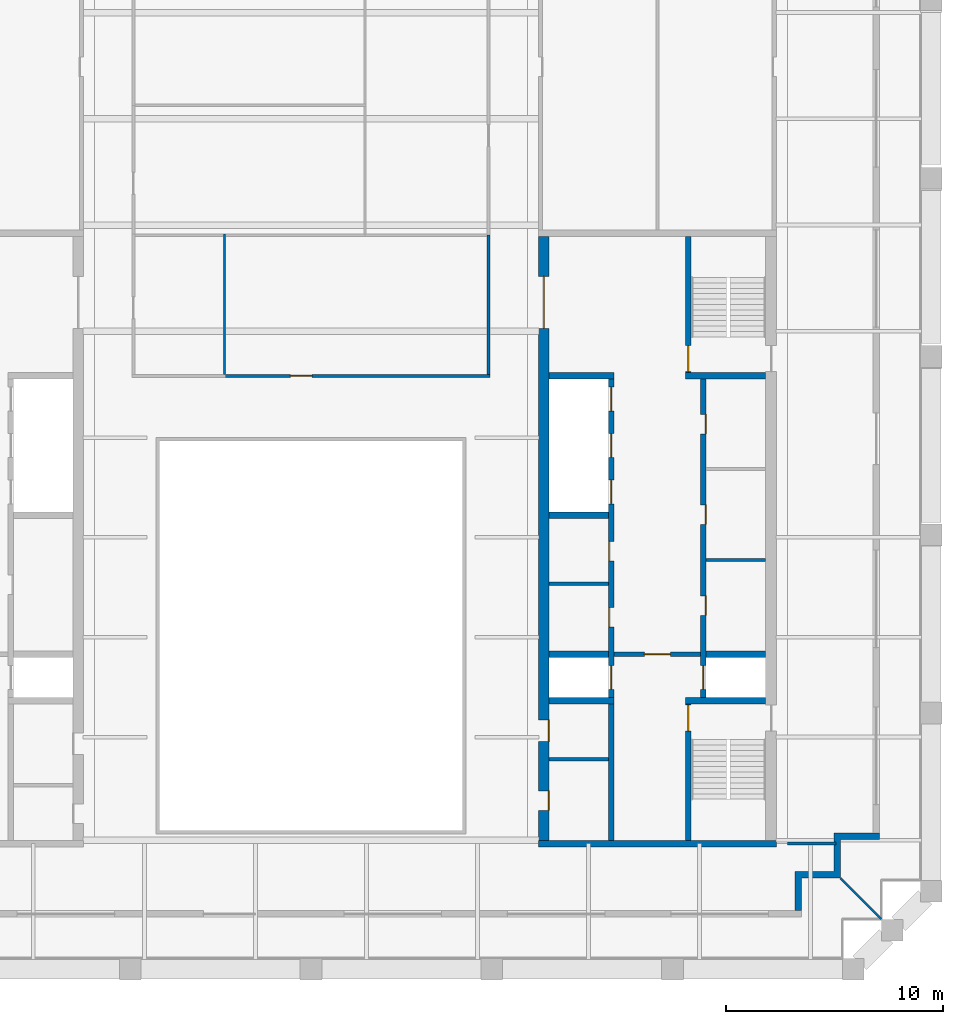
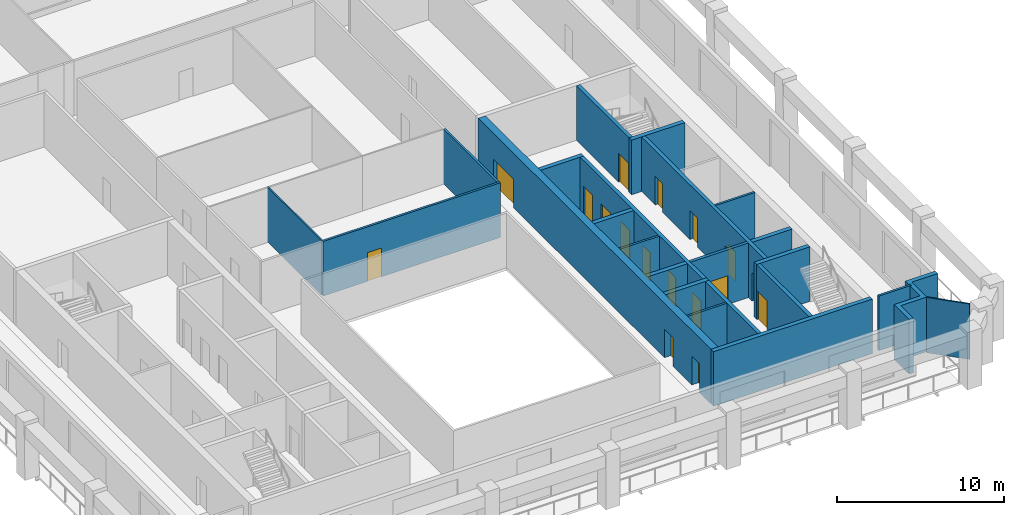
# One storey, part 4 of 7: 23 walls, 17 doors, 17 openings.
"""IFC4 building model written with IfcOpenShell, lengths in metres."""

from ifc_helpers import new_model, si_unit, direction, frame, frame_2d, origin, place, context, subcontext, project, spatial, polyline, rectangle, outline, extrude, material, layer, layer_set, type_object, element, fill, save


model = new_model("IFC4")

# Units and contexts
model_context = context("Model", 3, precision=1e-05, world=origin(), true_north=direction((0.0, 1.0)))
body_context = subcontext(model_context, "Body", "Model", "MODEL_VIEW")
ifc_project = project(units=[si_unit("LENGTHUNIT", "METRE"), si_unit("AREAUNIT", "SQUARE_METRE"), si_unit("VOLUMEUNIT", "CUBIC_METRE"), si_unit("PLANEANGLEUNIT", "RADIAN"), si_unit("MASSUNIT", "GRAM", prefix="KILO")], contexts=[model_context])

# Site, building, storey
site_placement = place(None, origin())
site = spatial("IfcSite", under=ifc_project, at=site_placement, CompositionType="ELEMENT")
building_placement = place(site_placement, origin())
building = spatial("IfcBuilding", under=site, at=building_placement, Name="Ogive Exchange Tower", CompositionType="ELEMENT")
storey_placement = place(building_placement, frame((0.0, 0.0, 313.199951171875)))
storey = spatial("IfcBuildingStorey", under=building, at=storey_placement, Name="L68", CompositionType="ELEMENT", Elevation=313.199951171875)

# Walls
ifc_material_1 = material(Name="Gypsum board partition")
ifc_layer_1 = layer(ifc_material_1, 0.14990234375)
ifc_layer_set_1 = layer_set([ifc_layer_1], Name="Core room partition 150 gypsum")
wall_type_1 = type_object("IfcWallType", Name="Core room partition 150 gypsum", PredefinedType="PARTITIONING", material=ifc_layer_set_1)
for number, where, z_axis, x_axis, name in (
    (1, (18.25, 10.5, 0.0), (0.0, 0.0, 1.0), (1.0, 0.0, 0.0), "E row A bay partition 1-1"),
    (2, (11.0, 9.39990234375, 0.0), (0.0, 0.0, 1.0), (1.0, 0.0, 0.0), "E row B bay partition 1-1"),
    (3, (11.0, 1.300048828125, 0.0), (0.0, 0.0, 1.0), (1.0, 0.0, 0.0), "E south room partition"),
):
    element("IfcWall", number, at=place(storey_placement, frame(where, z_axis=z_axis, x_axis=x_axis)), inside=storey, type_object=wall_type_1, Name=name, PredefinedType="PARTITIONING", context=body_context, shape_type="SweptSolid", body=[
        extrude(rectangle(XDim=2.75, YDim=0.14990234375, at=frame_2d((1.375, 0.0))), origin(), (0.0, 0.0, 1.0), 4.0),
    ])

# Wall, opening, door
ifc_material_2 = material(Name="Fire partition EI 60 150")
ifc_layer_2 = layer(ifc_material_2, 0.14990234375)
ifc_layer_set_2 = layer_set([ifc_layer_2], Name="Fire partition EI 60 150")
wall_type_2 = type_object("IfcWallType", Name="Fire partition EI 60 150", PredefinedType="PARTITIONING", material=ifc_layer_set_2)
wall_1_placement = place(storey_placement, frame((-4.0, 19.0, 0.0), z_axis=(0.0, 0.0, 1.0), x_axis=(1.0, 0.0, 0.0)))
wall_1 = element("IfcWall", 4, at=wall_1_placement, inside=storey, type_object=wall_type_2, Name="L68-PWL-014", PredefinedType="PARTITIONING", context=body_context, shape_type="SweptSolid", body=[
    extrude(rectangle(XDim=12.27490234375, YDim=0.14990234375, at=frame_2d((6.137451171875, 0.0))), origin(), (0.0, 0.0, 1.0), 4.0),
])
opening_1_placement = place(wall_1_placement, frame((3.050048828125, 0.0, 0.0)))
opening_1 = element("IfcOpeningElement", 5, at=opening_1_placement, cuts=wall_1, Name="Opening L68-I08", PredefinedType="OPENING", context=body_context, shape_type="SweptSolid", body=[
    extrude(rectangle(XDim=1.0, YDim=2.10009765625, at=frame_2d((0.5, 1.050048828125))), frame((0.0, 0.0849609375, 0.0), z_axis=(0.0, -1.0, 0.0), x_axis=(1.0, 0.0, 0.0)), (0.0, 0.0, 1.0), 0.169921875),
])
ifc_material_3 = material(Name="Fire door FD 30S 1000 x 2100")
door_type_1 = type_object("IfcDoorType", Name="Fire door FD 30S 1000 x 2100", OperationType="NOTDEFINED", PredefinedType="DOOR", material=ifc_material_3)
door_1_placement = place(opening_1_placement, origin())
door_1 = element("IfcDoor", 6, at=door_1_placement, inside=storey, type_object=door_type_1, Name="L68-IDR-008", ObjectType="DT3", OperationType="SINGLE_SWING_RIGHT", OverallHeight=2.10009765625, OverallWidth=1.0, PredefinedType="DOOR", context=body_context, shape_type="SweptSolid", body=[
    extrude(rectangle(XDim=1.0, YDim=2.10009765625, at=frame_2d((0.5, 1.050048828125))), frame((0.0, 0.02490234375, 0.0), z_axis=(0.0, -1.0, 0.0), x_axis=(1.0, 0.0, 0.0)), (0.0, 0.0, 1.0), 0.050048828125),
])
fill(opening_1, door_1)

# Walls
wall_2_placement = place(storey_placement, frame((8.199951171875, 19.074951171875, 0.0), z_axis=(0.0, 0.0, 1.0), x_axis=(0.0, 1.0, 0.0)))
element("IfcWall", 7, at=wall_2_placement, inside=storey, type_object=wall_type_2, Name="L68-PWL-022", PredefinedType="PARTITIONING", context=body_context, shape_type="SweptSolid", body=[
    extrude(rectangle(XDim=6.425048828125, YDim=0.14990234375, at=frame_2d((3.21240234375, 0.0))), origin(), (0.0, 0.0, 1.0), 4.0),
])
wall_3_placement = place(storey_placement, frame((22.0, -2.60009765625, 0.0), z_axis=(0.0, 0.0, 1.0), x_axis=(1.0, 0.0, 0.0)))
element("IfcWall", 8, at=wall_3_placement, inside=storey, type_object=wall_type_2, Name="L68-PWL-026", PredefinedType="PARTITIONING", context=body_context, shape_type="SweptSolid", body=[
    extrude(rectangle(XDim=2.25, YDim=0.14990234375, at=frame_2d((1.125, 0.0))), origin(), (0.0, 0.0, 1.0), 4.0),
])
ifc_material_4 = material(Name="Precast concrete C40/50", Category="concrete")
ifc_layer_3 = layer(ifc_material_4, 0.300048828125)
ifc_layer_set_3 = layer_set([ifc_layer_3], Name="Limestone-faced wall 300")
wall_type_3 = type_object("IfcWallType", Name="Limestone-faced wall 300", PredefinedType="STANDARD", material=ifc_layer_set_3)
wall_4_placement = place(storey_placement, origin())
element("IfcWall", 9, at=wall_4_placement, inside=storey, type_object=wall_type_3, Name="External corner wall C1", PredefinedType="STANDARD", context=body_context, shape_type="SweptSolid", body=[
    extrude(outline(polyline([(24.14990234375, -3.89990234375), (24.14990234375, -2.10009765625), (26.25, -2.10009765625), (26.25, -2.39990234375), (24.449951171875, -2.39990234375), (24.449951171875, -4.199951171875), (22.64990234375, -4.199951171875), (22.64990234375, -5.699951171875), (22.35009765625, -5.699951171875), (22.35009765625, -3.89990234375), (24.14990234375, -3.89990234375)])), origin(), (0.0, 0.0, 1.0), 4.0),
])
ifc_material_5 = material(Name="Laminated safety glass in steel frame", Category="steel")
ifc_layer_4 = layer(ifc_material_5, 0.10009765625)
ifc_layer_set_4 = layer_set([ifc_layer_4], Name="Loggia end screen 100")
wall_type_4 = type_object("IfcWallType", Name="Loggia end screen 100", PredefinedType="STANDARD", material=ifc_layer_set_4)
wall_5_placement = place(storey_placement, frame((24.449951171875, -4.199951171875, -0.050048828125), z_axis=(0.0, 0.0, 1.0), x_axis=(0.707106781187, -0.707106781187, 0.0)))
element("IfcWall", 10, at=wall_5_placement, inside=storey, type_object=wall_type_4, Name="Loggia end screen C1", PredefinedType="STANDARD", context=body_context, shape_type="SweptSolid", body=[
    extrude(rectangle(XDim=2.667236328125, YDim=0.10009765625, at=frame_2d((1.33349609375, 0.0))), origin(), (0.0, 0.0, 1.0), 4.050048828125),
])
ifc_material_6 = material(Name="Partition 100 gypsum")
ifc_layer_5 = layer(ifc_material_6, 0.10009765625)
ifc_layer_set_5 = layer_set([ifc_layer_5], Name="Partition 100 gypsum")
wall_type_5 = type_object("IfcWallType", Name="Partition 100 gypsum", PredefinedType="PARTITIONING", material=ifc_layer_set_5)
wall_6_placement = place(storey_placement, frame((-4.0, 19.074951171875, 0.0), z_axis=(0.0, 0.0, 1.0), x_axis=(0.0, 1.0, 0.0)))
element("IfcWall", 11, at=wall_6_placement, inside=storey, type_object=wall_type_5, Name="L68-PWL-013", PredefinedType="PARTITIONING", context=body_context, shape_type="SweptSolid", body=[
    extrude(rectangle(XDim=6.47509765625, YDim=0.10009765625, at=frame_2d((3.237548828125, 0.0))), origin(), (0.0, 0.0, 1.0), 4.0),
])

# Wall, opening, door
ifc_material_7 = material(Name="Concrete C70/85", Category="concrete")
ifc_layer_6 = layer(ifc_material_7, 0.199951171875)
ifc_layer_set_6 = layer_set([ifc_layer_6], Name="RC core wall 200 C70/85")
wall_type_6 = type_object("IfcWallType", Name="RC core wall 200 C70/85", PredefinedType="SHEAR", material=ifc_layer_set_6)
wall_7_placement = place(storey_placement, frame((14.0, 6.142822265625, 0.0), z_axis=(0.0, 0.0, 1.0), x_axis=(1.0, 0.0, 0.0)))
wall_7 = element("IfcWall", 12, at=wall_7_placement, inside=storey, type_object=wall_type_6, Name="E firefighting lobby wall", PredefinedType="SHEAR", context=body_context, shape_type="SweptSolid", body=[
    extrude(rectangle(XDim=4.0, YDim=0.199951171875, at=frame_2d((2.0, 0.0))), origin(), (0.0, 0.0, 1.0), 4.0),
])
opening_2_placement = place(wall_7_placement, frame((1.39990234375, 0.0, 0.0)))
opening_2 = element("IfcOpeningElement", 13, at=opening_2_placement, cuts=wall_7, Name="Opening L68-C28", PredefinedType="OPENING", context=body_context, shape_type="SweptSolid", body=[
    extrude(rectangle(XDim=1.199951171875, YDim=2.10009765625, at=frame_2d((0.60009765625, 1.050048828125))), frame((0.0, 0.10986328125, 0.0), z_axis=(0.0, -1.0, 0.0), x_axis=(1.0, 0.0, 0.0)), (0.0, 0.0, 1.0), 0.219970703125),
])
ifc_material_8 = material(Name="Steel fire door", Category="steel")
door_type_2 = type_object("IfcDoorType", Name="Firefighting lobby door FD60 1200 x 2100", OperationType="NOTDEFINED", PredefinedType="DOOR", material=ifc_material_8)
door_2_placement = place(opening_2_placement, frame((1.199951171875, 0.0, 0.0), z_axis=(0.0, 0.0, 1.0), x_axis=(-1.0, 0.0, 0.0)))
door_2 = element("IfcDoor", 14, at=door_2_placement, inside=storey, type_object=door_type_2, Name="Firefighting lobby door", ObjectType="CD3", OperationType="SINGLE_SWING_RIGHT", OverallHeight=2.10009765625, OverallWidth=1.199951171875, PredefinedType="DOOR", context=body_context, shape_type="SweptSolid", body=[
    extrude(rectangle(XDim=1.199951171875, YDim=2.10009765625, at=frame_2d((0.60009765625, 1.050048828125))), frame((0.0, 0.02490234375, 0.0), z_axis=(0.0, -1.0, 0.0), x_axis=(1.0, 0.0, 0.0)), (0.0, 0.0, 1.0), 0.050048828125),
])
fill(opening_2, door_2)

ifc_layer_7 = layer(ifc_material_7, 0.25)
ifc_layer_set_7 = layer_set([ifc_layer_7], Name="RC core wall 250 C70/85")
wall_type_7 = type_object("IfcWallType", Name="RC core wall 250 C70/85", PredefinedType="SHEAR", material=ifc_layer_set_7)
wall_8_placement = place(storey_placement, frame((17.425048828125, -2.449951171875, 0.0), z_axis=(0.0, 0.0, 1.0), x_axis=(0.0, 1.0, 0.0)))
wall_8 = element("IfcWall", 15, at=wall_8_placement, inside=storey, type_object=wall_type_7, Name="E stair S front wall", PredefinedType="SHEAR", context=body_context, shape_type="SweptSolid", body=[
    extrude(rectangle(XDim=6.300048828125, YDim=0.25, at=frame_2d((3.14990234375, 0.0))), origin(), (0.0, 0.0, 1.0), 4.0),
])
opening_3_placement = place(wall_8_placement, frame((5.050048828125, 0.0, 0.0)))
opening_3 = element("IfcOpeningElement", 16, at=opening_3_placement, cuts=wall_8, Name="Opening L68-C30", PredefinedType="OPENING", context=body_context, shape_type="SweptSolid", body=[
    extrude(rectangle(XDim=1.199951171875, YDim=2.10009765625, at=frame_2d((0.60009765625, 1.050048828125))), frame((0.0, 0.135009765625, 0.0), z_axis=(0.0, -1.0, 0.0), x_axis=(1.0, 0.0, 0.0)), (0.0, 0.0, 1.0), 0.27001953125),
])
door_type_3 = type_object("IfcDoorType", Name="Stair door FD90 1200 x 2100", OperationType="NOTDEFINED", PredefinedType="DOOR", material=ifc_material_8)
door_3_placement = place(opening_3_placement, frame((1.199951171875, 0.0, 0.0), z_axis=(0.0, 0.0, 1.0), x_axis=(-1.0, 0.0, 0.0)))
door_3 = element("IfcDoor", 17, at=door_3_placement, inside=storey, type_object=door_type_3, Name="Stair door", ObjectType="CD5", OperationType="SINGLE_SWING_RIGHT", OverallHeight=2.10009765625, OverallWidth=1.199951171875, PredefinedType="DOOR", context=body_context, shape_type="SweptSolid", body=[
    extrude(rectangle(XDim=1.199951171875, YDim=2.10009765625, at=frame_2d((0.60009765625, 1.050048828125))), frame((0.0, 0.02490234375, 0.0), z_axis=(0.0, -1.0, 0.0), x_axis=(1.0, 0.0, 0.0)), (0.0, 0.0, 1.0), 0.050048828125),
])
fill(opening_3, door_3)

wall_9_placement = place(storey_placement, frame((17.425048828125, 19.14990234375, 0.0), z_axis=(0.0, 0.0, 1.0), x_axis=(0.0, 1.0, 0.0)))
wall_9 = element("IfcWall", 18, at=wall_9_placement, inside=storey, type_object=wall_type_7, Name="E stair N front wall", PredefinedType="SHEAR", context=body_context, shape_type="SweptSolid", body=[
    extrude(rectangle(XDim=6.300048828125, YDim=0.25, at=frame_2d((3.14990234375, 0.0))), origin(), (0.0, 0.0, 1.0), 4.0),
])
opening_4_placement = place(wall_9_placement, frame((0.050048828125, 0.0, 0.0)))
opening_4 = element("IfcOpeningElement", 19, at=opening_4_placement, cuts=wall_9, Name="Opening L68-C32", PredefinedType="OPENING", context=body_context, shape_type="SweptSolid", body=[
    extrude(rectangle(XDim=1.199951171875, YDim=2.10009765625, at=frame_2d((0.60009765625, 1.050048828125))), frame((0.0, 0.135009765625, 0.0), z_axis=(0.0, -1.0, 0.0), x_axis=(1.0, 0.0, 0.0)), (0.0, 0.0, 1.0), 0.27001953125),
])
door_4_placement = place(opening_4_placement, frame((1.199951171875, 0.0, 0.0), z_axis=(0.0, 0.0, 1.0), x_axis=(-1.0, 0.0, 0.0)))
door_4 = element("IfcDoor", 20, at=door_4_placement, inside=storey, type_object=door_type_3, Name="Stair door", ObjectType="CD5", OperationType="SINGLE_SWING_LEFT", OverallHeight=2.10009765625, OverallWidth=1.199951171875, PredefinedType="DOOR", context=body_context, shape_type="SweptSolid", body=[
    extrude(rectangle(XDim=1.199951171875, YDim=2.10009765625, at=frame_2d((0.60009765625, 1.050048828125))), frame((0.0, 0.02490234375, 0.0), z_axis=(0.0, -1.0, 0.0), x_axis=(1.0, 0.0, 0.0)), (0.0, 0.0, 1.0), 0.050048828125),
])
fill(opening_4, door_4)

# Wall, openings, doors
wall_10_placement = place(storey_placement, frame((18.125, 4.14990234375, 0.0), z_axis=(0.0, 0.0, 1.0), x_axis=(0.0, 1.0, 0.0)))
wall_10 = element("IfcWall", 21, at=wall_10_placement, inside=storey, type_object=wall_type_7, Name="E row A front wall", PredefinedType="SHEAR", context=body_context, shape_type="SweptSolid", body=[
    extrude(rectangle(XDim=14.7001953125, YDim=0.25, at=frame_2d((7.35009765625, 0.0))), origin(), (0.0, 0.0, 1.0), 4.0),
])
opening_5_placement = place(wall_10_placement, frame((3.79638671875, 0.0, 0.0)))
opening_5 = element("IfcOpeningElement", 22, at=opening_5_placement, cuts=wall_10, Name="Opening L68-C18", PredefinedType="OPENING", context=body_context, shape_type="SweptSolid", body=[
    extrude(rectangle(XDim=0.89990234375, YDim=2.10009765625, at=frame_2d((0.449951171875, 1.050048828125))), frame((0.0, 0.135009765625, 0.0), z_axis=(0.0, -1.0, 0.0), x_axis=(1.0, 0.0, 0.0)), (0.0, 0.0, 1.0), 0.27001953125),
])
opening_6_placement = place(wall_10_placement, frame((8.0, 0.0, 0.0)))
opening_6 = element("IfcOpeningElement", 23, at=opening_6_placement, cuts=wall_10, Name="Opening L68-C19", PredefinedType="OPENING", context=body_context, shape_type="SweptSolid", body=[
    extrude(rectangle(XDim=0.89990234375, YDim=2.10009765625, at=frame_2d((0.449951171875, 1.050048828125))), frame((0.0, 0.135009765625, 0.0), z_axis=(0.0, -1.0, 0.0), x_axis=(1.0, 0.0, 0.0)), (0.0, 0.0, 1.0), 0.27001953125),
])
opening_7_placement = place(wall_10_placement, frame((12.175048828125, 0.0, 0.0)))
opening_7 = element("IfcOpeningElement", 24, at=opening_7_placement, cuts=wall_10, Name="Opening L68-C20", PredefinedType="OPENING", context=body_context, shape_type="SweptSolid", body=[
    extrude(rectangle(XDim=0.89990234375, YDim=2.10009765625, at=frame_2d((0.449951171875, 1.050048828125))), frame((0.0, 0.135009765625, 0.0), z_axis=(0.0, -1.0, 0.0), x_axis=(1.0, 0.0, 0.0)), (0.0, 0.0, 1.0), 0.27001953125),
])
opening_8_placement = place(wall_10_placement, frame((0.371337890625, 0.0, 0.0)))
opening_8 = element("IfcOpeningElement", 25, at=opening_8_placement, cuts=wall_10, Name="Opening L68-C21", PredefinedType="OPENING", context=body_context, shape_type="SweptSolid", body=[
    extrude(rectangle(XDim=1.10009765625, YDim=2.10009765625, at=frame_2d((0.550048828125, 1.050048828125))), frame((0.0, 0.135009765625, 0.0), z_axis=(0.0, -1.0, 0.0), x_axis=(1.0, 0.0, 0.0)), (0.0, 0.0, 1.0), 0.27001953125),
])
ifc_material_9 = material(Name="Timber fire door", Category="wood")
door_type_4 = type_object("IfcDoorType", Name="Core room door FD30S 900 x 2100", OperationType="NOTDEFINED", PredefinedType="DOOR", material=ifc_material_9)
door_5_placement = place(opening_5_placement, frame((0.89990234375, -0.2001953125, 0.0), z_axis=(0.0, 0.0, 1.0), x_axis=(-1.0, 0.0, 0.0)))
door_5 = element("IfcDoor", 26, at=door_5_placement, inside=storey, type_object=door_type_4, Name="Core room door", ObjectType="CD6", OperationType="SINGLE_SWING_LEFT", OverallHeight=2.10009765625, OverallWidth=0.89990234375, PredefinedType="DOOR", context=body_context, shape_type="SweptSolid", body=[
    extrude(rectangle(XDim=0.89990234375, YDim=2.10009765625, at=frame_2d((0.449951171875, 1.050048828125))), frame((0.0, -0.0751953125, 0.0), z_axis=(0.0, -1.0, 0.0), x_axis=(1.0, 0.0, 0.0)), (0.0, 0.0, 1.0), 0.050048828125),
])
fill(opening_5, door_5)
door_6_placement = place(opening_7_placement, frame((0.89990234375, -0.2001953125, 0.0), z_axis=(0.0, 0.0, 1.0), x_axis=(-1.0, 0.0, 0.0)))
door_6 = element("IfcDoor", 27, at=door_6_placement, inside=storey, type_object=door_type_4, Name="Core room door", ObjectType="CD6", OperationType="SINGLE_SWING_RIGHT", OverallHeight=2.10009765625, OverallWidth=0.89990234375, PredefinedType="DOOR", context=body_context, shape_type="SweptSolid", body=[
    extrude(rectangle(XDim=0.89990234375, YDim=2.10009765625, at=frame_2d((0.449951171875, 1.050048828125))), frame((0.0, -0.0751953125, 0.0), z_axis=(0.0, -1.0, 0.0), x_axis=(1.0, 0.0, 0.0)), (0.0, 0.0, 1.0), 0.050048828125),
])
fill(opening_7, door_6)
ifc_material_10 = material(Name="Stainless steel", Category="steel")
door_type_5 = type_object("IfcDoorType", Name="Lift landing door FD90 1100 x 2100", OperationType="SLIDING_TO_LEFT", PredefinedType="DOOR", material=ifc_material_10)
door_7_placement = place(opening_8_placement, origin())
door_7 = element("IfcDoor", 28, at=door_7_placement, inside=storey, type_object=door_type_5, Name="Lift landing door FF2", ObjectType="LD", OperationType="SLIDING_TO_LEFT", OverallHeight=2.10009765625, OverallWidth=1.10009765625, PredefinedType="DOOR", context=body_context, shape_type="SweptSolid", body=[
    extrude(rectangle(XDim=1.10009765625, YDim=2.10009765625, at=frame_2d((0.550048828125, 1.050048828125))), frame((0.0, 0.02490234375, 0.0), z_axis=(0.0, -1.0, 0.0), x_axis=(1.0, 0.0, 0.0)), (0.0, 0.0, 1.0), 0.050048828125),
])
fill(opening_8, door_7)
door_type_6 = type_object("IfcDoorType", Name="Riser door FD60 900 x 2100", OperationType="NOTDEFINED", PredefinedType="DOOR", material=ifc_material_8)
door_8_placement = place(opening_6_placement, frame((0.89990234375, -0.2001953125, 0.0), z_axis=(0.0, 0.0, 1.0), x_axis=(-1.0, 0.0, 0.0)))
door_8 = element("IfcDoor", 29, at=door_8_placement, inside=storey, type_object=door_type_6, Name="Riser door", ObjectType="CD2", OperationType="SINGLE_SWING_LEFT", OverallHeight=2.10009765625, OverallWidth=0.89990234375, PredefinedType="DOOR", context=body_context, shape_type="SweptSolid", body=[
    extrude(rectangle(XDim=0.89990234375, YDim=2.10009765625, at=frame_2d((0.449951171875, 1.050048828125))), frame((0.0, -0.0751953125, 0.0), z_axis=(0.0, -1.0, 0.0), x_axis=(1.0, 0.0, 0.0)), (0.0, 0.0, 1.0), 0.050048828125),
])
fill(opening_6, door_8)

wall_11_placement = place(storey_placement, frame((13.875, -2.449951171875, 0.0), z_axis=(0.0, 0.0, 1.0), x_axis=(0.0, 1.0, 0.0)))
wall_11 = element("IfcWall", 30, at=wall_11_placement, inside=storey, type_object=wall_type_7, Name="E row B front wall", PredefinedType="SHEAR", context=body_context, shape_type="SweptSolid", body=[
    extrude(rectangle(XDim=21.300048828125, YDim=0.25, at=frame_2d((10.64990234375, 0.0))), origin(), (0.0, 0.0, 1.0), 4.0),
])
opening_9_placement = place(wall_11_placement, frame((9.846435546875, 0.0, 0.0)))
opening_9 = element("IfcOpeningElement", 31, at=opening_9_placement, cuts=wall_11, Name="Opening L68-C22", PredefinedType="OPENING", context=body_context, shape_type="SweptSolid", body=[
    extrude(rectangle(XDim=0.89990234375, YDim=2.10009765625, at=frame_2d((0.449951171875, 1.050048828125))), frame((0.0, 0.135009765625, 0.0), z_axis=(0.0, -1.0, 0.0), x_axis=(1.0, 0.0, 0.0)), (0.0, 0.0, 1.0), 0.27001953125),
])
opening_10_placement = place(wall_11_placement, frame((12.91064453125, 0.0, 0.0)))
opening_10 = element("IfcOpeningElement", 32, at=opening_10_placement, cuts=wall_11, Name="Opening L68-C23", PredefinedType="OPENING", context=body_context, shape_type="SweptSolid", body=[
    extrude(rectangle(XDim=0.89990234375, YDim=2.10009765625, at=frame_2d((0.449951171875, 1.050048828125))), frame((0.0, 0.135009765625, 0.0), z_axis=(0.0, -1.0, 0.0), x_axis=(1.0, 0.0, 0.0)), (0.0, 0.0, 1.0), 0.27001953125),
])
opening_11_placement = place(wall_11_placement, frame((6.971435546875, 0.0, 0.0)))
opening_11 = element("IfcOpeningElement", 33, at=opening_11_placement, cuts=wall_11, Name="Opening L68-C24", PredefinedType="OPENING", context=body_context, shape_type="SweptSolid", body=[
    extrude(rectangle(XDim=1.10009765625, YDim=2.10009765625, at=frame_2d((0.550048828125, 1.050048828125))), frame((0.0, 0.135009765625, 0.0), z_axis=(0.0, -1.0, 0.0), x_axis=(1.0, 0.0, 0.0)), (0.0, 0.0, 1.0), 0.27001953125),
])
opening_12_placement = place(wall_11_placement, frame((15.54296875, 0.0, 0.0)))
opening_12 = element("IfcOpeningElement", 34, at=opening_12_placement, cuts=wall_11, Name="Opening L68-C25", PredefinedType="OPENING", context=body_context, shape_type="SweptSolid", body=[
    extrude(rectangle(XDim=1.10009765625, YDim=2.10009765625, at=frame_2d((0.550048828125, 1.050048828125))), frame((0.0, 0.135009765625, 0.0), z_axis=(0.0, -1.0, 0.0), x_axis=(1.0, 0.0, 0.0)), (0.0, 0.0, 1.0), 0.27001953125),
])
opening_13_placement = place(wall_11_placement, frame((17.685791015625, 0.0, 0.0)))
opening_13 = element("IfcOpeningElement", 35, at=opening_13_placement, cuts=wall_11, Name="Opening L68-C26", PredefinedType="OPENING", context=body_context, shape_type="SweptSolid", body=[
    extrude(rectangle(XDim=1.10009765625, YDim=2.10009765625, at=frame_2d((0.550048828125, 1.050048828125))), frame((0.0, 0.135009765625, 0.0), z_axis=(0.0, -1.0, 0.0), x_axis=(1.0, 0.0, 0.0)), (0.0, 0.0, 1.0), 0.27001953125),
])
opening_14_placement = place(wall_11_placement, frame((19.82861328125, 0.0, 0.0)))
opening_14 = element("IfcOpeningElement", 36, at=opening_14_placement, cuts=wall_11, Name="Opening L68-C27", PredefinedType="OPENING", context=body_context, shape_type="SweptSolid", body=[
    extrude(rectangle(XDim=1.10009765625, YDim=2.10009765625, at=frame_2d((0.550048828125, 1.050048828125))), frame((0.0, 0.135009765625, 0.0), z_axis=(0.0, -1.0, 0.0), x_axis=(1.0, 0.0, 0.0)), (0.0, 0.0, 1.0), 0.27001953125),
])
door_9_placement = place(opening_11_placement, origin())
door_9 = element("IfcDoor", 37, at=door_9_placement, inside=storey, type_object=door_type_5, Name="Lift landing door SV2", ObjectType="LD", OperationType="SLIDING_TO_LEFT", OverallHeight=2.10009765625, OverallWidth=1.10009765625, PredefinedType="DOOR", context=body_context, shape_type="SweptSolid", body=[
    extrude(rectangle(XDim=1.10009765625, YDim=2.10009765625, at=frame_2d((0.550048828125, 1.050048828125))), frame((0.0, 0.02490234375, 0.0), z_axis=(0.0, -1.0, 0.0), x_axis=(1.0, 0.0, 0.0)), (0.0, 0.0, 1.0), 0.050048828125),
])
fill(opening_11, door_9)
door_10_placement = place(opening_12_placement, origin())
door_10 = element("IfcDoor", 38, at=door_10_placement, inside=storey, type_object=door_type_5, Name="Lift landing door E-H1", ObjectType="LD", OperationType="SLIDING_TO_LEFT", OverallHeight=2.10009765625, OverallWidth=1.10009765625, PredefinedType="DOOR", context=body_context, shape_type="SweptSolid", body=[
    extrude(rectangle(XDim=1.10009765625, YDim=2.10009765625, at=frame_2d((0.550048828125, 1.050048828125))), frame((0.0, 0.02490234375, 0.0), z_axis=(0.0, -1.0, 0.0), x_axis=(1.0, 0.0, 0.0)), (0.0, 0.0, 1.0), 0.050048828125),
])
fill(opening_12, door_10)
door_11_placement = place(opening_13_placement, origin())
door_11 = element("IfcDoor", 39, at=door_11_placement, inside=storey, type_object=door_type_5, Name="Lift landing door E-H2", ObjectType="LD", OperationType="SLIDING_TO_LEFT", OverallHeight=2.10009765625, OverallWidth=1.10009765625, PredefinedType="DOOR", context=body_context, shape_type="SweptSolid", body=[
    extrude(rectangle(XDim=1.10009765625, YDim=2.10009765625, at=frame_2d((0.550048828125, 1.050048828125))), frame((0.0, 0.02490234375, 0.0), z_axis=(0.0, -1.0, 0.0), x_axis=(1.0, 0.0, 0.0)), (0.0, 0.0, 1.0), 0.050048828125),
])
fill(opening_13, door_11)
door_12_placement = place(opening_14_placement, origin())
door_12 = element("IfcDoor", 40, at=door_12_placement, inside=storey, type_object=door_type_5, Name="Lift landing door E-H3", ObjectType="LD", OperationType="SLIDING_TO_LEFT", OverallHeight=2.10009765625, OverallWidth=1.10009765625, PredefinedType="DOOR", context=body_context, shape_type="SweptSolid", body=[
    extrude(rectangle(XDim=1.10009765625, YDim=2.10009765625, at=frame_2d((0.550048828125, 1.050048828125))), frame((0.0, 0.02490234375, 0.0), z_axis=(0.0, -1.0, 0.0), x_axis=(1.0, 0.0, 0.0)), (0.0, 0.0, 1.0), 0.050048828125),
])
fill(opening_14, door_12)
door_13_placement = place(opening_9_placement, origin())
door_13 = element("IfcDoor", 41, at=door_13_placement, inside=storey, type_object=door_type_6, Name="Riser door", ObjectType="CD2", OperationType="SINGLE_SWING_LEFT", OverallHeight=2.10009765625, OverallWidth=0.89990234375, PredefinedType="DOOR", context=body_context, shape_type="SweptSolid", body=[
    extrude(rectangle(XDim=0.89990234375, YDim=2.10009765625, at=frame_2d((0.449951171875, 1.050048828125))), frame((0.0, 0.125, 0.0), z_axis=(0.0, -1.0, 0.0), x_axis=(1.0, 0.0, 0.0)), (0.0, 0.0, 1.0), 0.050048828125),
])
fill(opening_9, door_13)
door_14_placement = place(opening_10_placement, origin())
door_14 = element("IfcDoor", 42, at=door_14_placement, inside=storey, type_object=door_type_6, Name="Riser door", ObjectType="CD2", OperationType="SINGLE_SWING_LEFT", OverallHeight=2.10009765625, OverallWidth=0.89990234375, PredefinedType="DOOR", context=body_context, shape_type="SweptSolid", body=[
    extrude(rectangle(XDim=0.89990234375, YDim=2.10009765625, at=frame_2d((0.449951171875, 1.050048828125))), frame((0.0, 0.125, 0.0), z_axis=(0.0, -1.0, 0.0), x_axis=(1.0, 0.0, 0.0)), (0.0, 0.0, 1.0), 0.050048828125),
])
fill(opening_10, door_14)

# Walls
ifc_layer_8 = layer(ifc_material_7, 0.300048828125)
ifc_layer_set_8 = layer_set([ifc_layer_8], Name="RC core wall 300 C70/85")
wall_type_8 = type_object("IfcWallType", Name="RC core wall 300 C70/85", PredefinedType="SHEAR", material=ifc_layer_set_8)
wall_12_placement = place(storey_placement, frame((10.5, -2.60009765625, 0.0), z_axis=(0.0, 0.0, 1.0), x_axis=(1.0, 0.0, 0.0)))
element("IfcWall", 43, at=wall_12_placement, inside=storey, type_object=wall_type_8, Name="E south end wall", PredefinedType="SHEAR", context=body_context, shape_type="SweptSolid", body=[
    extrude(rectangle(XDim=11.0, YDim=0.300048828125, at=frame_2d((5.5, 0.0))), origin(), (0.0, 0.0, 1.0), 4.0),
])
for number, where, z_axis, x_axis, name in (
    (44, (17.300048828125, 4.0, 0.0), (0.0, 0.0, 1.0), (1.0, 0.0, 0.0), "E stair S north wall"),
    (45, (17.300048828125, 19.0, 0.0), (0.0, 0.0, 1.0), (1.0, 0.0, 0.0), "E stair N south wall"),
):
    element("IfcWall", number, at=place(storey_placement, frame(where, z_axis=z_axis, x_axis=x_axis)), inside=storey, type_object=wall_type_8, Name=name, PredefinedType="SHEAR", context=body_context, shape_type="SweptSolid", body=[
        extrude(rectangle(XDim=3.699951171875, YDim=0.300048828125, at=frame_2d((1.85009765625, 0.0))), origin(), (0.0, 0.0, 1.0), 4.0),
    ])
wall_13_placement = place(storey_placement, frame((18.25, 6.142822265625, 0.0), z_axis=(0.0, 0.0, 1.0), x_axis=(1.0, 0.0, 0.0)))
element("IfcWall", 46, at=wall_13_placement, inside=storey, type_object=wall_type_8, Name="E row A divider 1", PredefinedType="SHEAR", context=body_context, shape_type="SweptSolid", body=[
    extrude(rectangle(XDim=2.75, YDim=0.300048828125, at=frame_2d((1.375, 0.0))), origin(), (0.0, 0.0, 1.0), 4.0),
])
wall_14_placement = place(storey_placement, frame((11.0, 4.0, 0.0), z_axis=(0.0, 0.0, 1.0), x_axis=(1.0, 0.0, 0.0)))
element("IfcWall", 47, at=wall_14_placement, inside=storey, type_object=wall_type_8, Name="E row B divider 0", PredefinedType="SHEAR", context=body_context, shape_type="SweptSolid", body=[
    extrude(rectangle(XDim=3.0, YDim=0.300048828125, at=frame_2d((1.5, 0.0))), origin(), (0.0, 0.0, 1.0), 4.0),
])
for number, where, z_axis, x_axis, name in (
    (48, (11.0, 6.142822265625, 0.0), (0.0, 0.0, 1.0), (1.0, 0.0, 0.0), "E row B divider 1"),
    (49, (11.0, 12.5712890625, 0.0), (0.0, 0.0, 1.0), (1.0, 0.0, 0.0), "E row B divider 4"),
):
    element("IfcWall", number, at=place(storey_placement, frame(where, z_axis=z_axis, x_axis=x_axis)), inside=storey, type_object=wall_type_8, Name=name, PredefinedType="SHEAR", context=body_context, shape_type="SweptSolid", body=[
        extrude(rectangle(XDim=2.75, YDim=0.300048828125, at=frame_2d((1.375, 0.0))), origin(), (0.0, 0.0, 1.0), 4.0),
    ])
wall_15_placement = place(storey_placement, frame((11.0, 19.0, 0.0), z_axis=(0.0, 0.0, 1.0), x_axis=(1.0, 0.0, 0.0)))
element("IfcWall", 50, at=wall_15_placement, inside=storey, type_object=wall_type_8, Name="E row B divider 7", PredefinedType="SHEAR", context=body_context, shape_type="SweptSolid", body=[
    extrude(rectangle(XDim=3.0, YDim=0.300048828125, at=frame_2d((1.5, 0.0))), origin(), (0.0, 0.0, 1.0), 4.0),
])

# Wall, openings, doors
ifc_layer_9 = layer(ifc_material_7, 0.5)
ifc_layer_set_9 = layer_set([ifc_layer_9], Name="RC core wall 500 C70/85")
wall_type_9 = type_object("IfcWallType", Name="RC core wall 500 C70/85", PredefinedType="SHEAR", material=ifc_layer_set_9)
wall_16_placement = place(storey_placement, frame((10.75, -2.449951171875, 0.0), z_axis=(0.0, 0.0, 1.0), x_axis=(0.0, 1.0, 0.0)))
wall_16 = element("IfcWall", 51, at=wall_16_placement, inside=storey, type_object=wall_type_9, Name="E inner wall", PredefinedType="SHEAR", context=body_context, shape_type="SweptSolid", body=[
    extrude(rectangle(XDim=27.89990234375, YDim=0.5, at=frame_2d((13.949951171875, 0.0))), origin(), (0.0, 0.0, 1.0), 4.0),
])
opening_15_placement = place(wall_16_placement, frame((23.64990234375, 0.0, 0.0)))
opening_15 = element("IfcOpeningElement", 52, at=opening_15_placement, cuts=wall_16, Name="Opening L68-C29", PredefinedType="OPENING", context=body_context, shape_type="SweptSolid", body=[
    extrude(rectangle(XDim=2.39990234375, YDim=2.10009765625, at=frame_2d((1.199951171875, 1.050048828125))), frame((0.0, 0.260009765625, 0.0), z_axis=(0.0, -1.0, 0.0), x_axis=(1.0, 0.0, 0.0)), (0.0, 0.0, 1.0), 0.52001953125),
])
opening_16_placement = place(wall_16_placement, frame((1.387451171875, 0.0, 0.0)))
opening_16 = element("IfcOpeningElement", 53, at=opening_16_placement, cuts=wall_16, Name="Opening L68-C34", PredefinedType="OPENING", context=body_context, shape_type="SweptSolid", body=[
    extrude(rectangle(XDim=0.89990234375, YDim=2.10009765625, at=frame_2d((0.449951171875, 1.050048828125))), frame((0.0, 0.260009765625, 0.0), z_axis=(0.0, -1.0, 0.0), x_axis=(1.0, 0.0, 0.0)), (0.0, 0.0, 1.0), 0.52001953125),
])
opening_17_placement = place(wall_16_placement, frame((4.5625, 0.0, 0.0)))
opening_17 = element("IfcOpeningElement", 54, at=opening_17_placement, cuts=wall_16, Name="Opening L68-C35", PredefinedType="OPENING", context=body_context, shape_type="SweptSolid", body=[
    extrude(rectangle(XDim=1.0, YDim=2.10009765625, at=frame_2d((0.5, 1.050048828125))), frame((0.0, 0.260009765625, 0.0), z_axis=(0.0, -1.0, 0.0), x_axis=(1.0, 0.0, 0.0)), (0.0, 0.0, 1.0), 0.52001953125),
])
door_type_7 = type_object("IfcDoorType", Name="Accessible WC door FD30S 1000 x 2100", OperationType="NOTDEFINED", PredefinedType="DOOR", material=ifc_material_9)
door_15_placement = place(opening_17_placement, origin())
door_15 = element("IfcDoor", 55, at=door_15_placement, inside=storey, type_object=door_type_7, Name="Accessible WC door", ObjectType="CD7", OperationType="SINGLE_SWING_LEFT", OverallHeight=2.10009765625, OverallWidth=1.0, PredefinedType="DOOR", context=body_context, shape_type="SweptSolid", body=[
    extrude(rectangle(XDim=1.0, YDim=2.10009765625, at=frame_2d((0.5, 1.050048828125))), frame((0.0, -0.2001953125, 0.0), z_axis=(0.0, -1.0, 0.0), x_axis=(1.0, 0.0, 0.0)), (0.0, 0.0, 1.0), 0.050048828125),
])
fill(opening_17, door_15)
door_16_placement = place(opening_16_placement, origin())
door_16 = element("IfcDoor", 56, at=door_16_placement, inside=storey, type_object=door_type_4, Name="Core room door", ObjectType="CD6", OperationType="SINGLE_SWING_LEFT", OverallHeight=2.10009765625, OverallWidth=0.89990234375, PredefinedType="DOOR", context=body_context, shape_type="SweptSolid", body=[
    extrude(rectangle(XDim=0.89990234375, YDim=2.10009765625, at=frame_2d((0.449951171875, 1.050048828125))), frame((0.0, -0.2001953125, 0.0), z_axis=(0.0, -1.0, 0.0), x_axis=(1.0, 0.0, 0.0)), (0.0, 0.0, 1.0), 0.050048828125),
])
fill(opening_16, door_16)
ifc_material_11 = material(Name="Glazed steel fire door", Category="steel")
door_type_8 = type_object("IfcDoorType", Name="Lift lobby double door FD60 2400 x 2100", OperationType="DOUBLE_DOOR_SINGLE_SWING", PredefinedType="DOOR", material=ifc_material_11)
door_17_placement = place(opening_15_placement, origin())
door_17 = element("IfcDoor", 57, at=door_17_placement, inside=storey, type_object=door_type_8, Name="Lift lobby double door", ObjectType="CD4", OperationType="DOUBLE_DOOR_SINGLE_SWING", OverallHeight=2.10009765625, OverallWidth=2.39990234375, PredefinedType="DOOR", context=body_context, shape_type="SweptSolid", body=[
    extrude(rectangle(XDim=2.39990234375, YDim=2.10009765625, at=frame_2d((1.199951171875, 1.050048828125))), frame((0.0, 0.02490234375, 0.0), z_axis=(0.0, -1.0, 0.0), x_axis=(1.0, 0.0, 0.0)), (0.0, 0.0, 1.0), 0.050048828125),
])
fill(opening_15, door_17)

save(model, "model.ifc")
